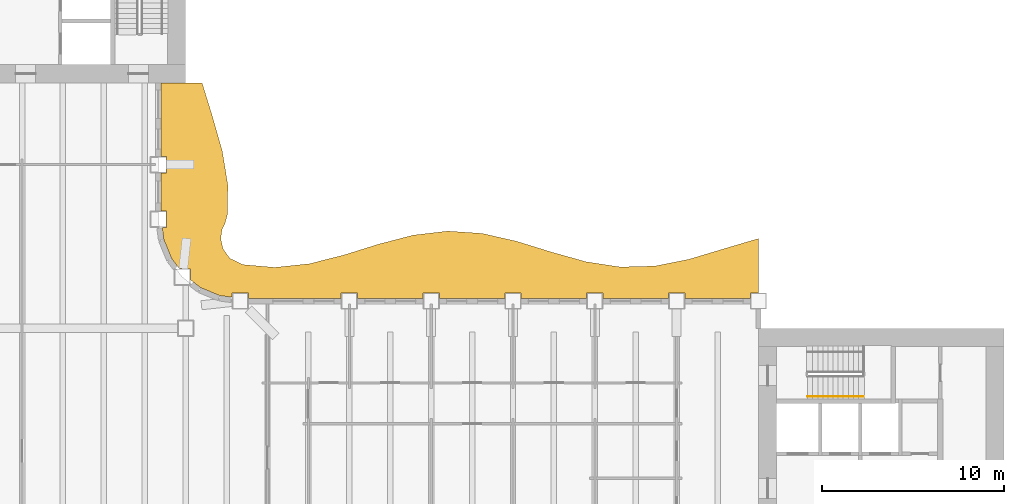
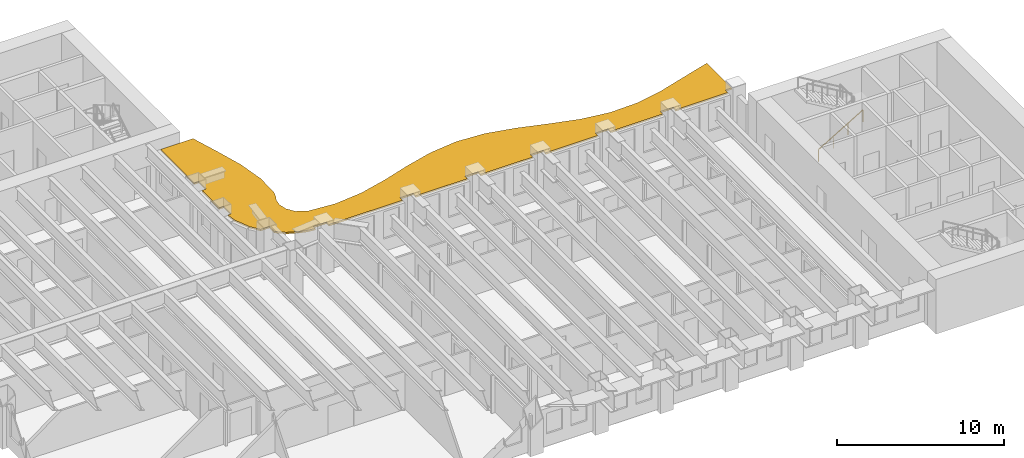
# One storey, part 14 of 16: 1 railing, 1 shading device.
"""IFC4 building model written with IfcOpenShell, lengths in metres."""

from ifc_helpers import new_model, si_unit, direction, frame, origin, origin_2d, place, context, subcontext, project, spatial, polyline, rectangle, outline, extrude, material, layer, layer_set, type_object, element, save


model = new_model("IFC4")

# Units and contexts
model_context = context("Model", 3, precision=1e-05, world=origin(), true_north=direction((0.0, 1.0)))
body_context = subcontext(model_context, "Body", "Model", "MODEL_VIEW")
ifc_project = project(units=[si_unit("LENGTHUNIT", "METRE"), si_unit("AREAUNIT", "SQUARE_METRE"), si_unit("VOLUMEUNIT", "CUBIC_METRE"), si_unit("PLANEANGLEUNIT", "RADIAN"), si_unit("MASSUNIT", "GRAM", prefix="KILO")], contexts=[model_context])

# Site, building, storey
site_placement = place(None, origin())
site = spatial("IfcSite", under=ifc_project, at=site_placement, CompositionType="ELEMENT")
building_placement = place(site_placement, origin())
building = spatial("IfcBuilding", under=site, at=building_placement, Name="Sennacour Bend Tower", CompositionType="ELEMENT")
storey_placement = place(building_placement, frame((0.0, 0.0, 183.0)))
storey = spatial("IfcBuildingStorey", under=building, at=storey_placement, Name="L42", CompositionType="ELEMENT", Elevation=183.0)

# Railing
ifc_material_1 = material(Name="Stainless steel", Category="steel")
railing_type = type_object("IfcRailingType", Name="RL-HANDRAIL-900", PredefinedType="HANDRAIL", material=ifc_material_1)
railing_placement = place(storey_placement, frame((56.699951171875, 18.75, 0.166748046875)))
element("IfcRailing", 1, at=railing_placement, inside=storey, type_object=railing_type, Name="L42 SA2 stair handrail 1", PredefinedType="HANDRAIL", context=body_context, shape_type="SweptSolid", body=[
    extrude(rectangle(XDim=0.048095703125, YDim=0.048095703125, at=origin_2d()), frame((0.0, 0.0, 0.8759765625), z_axis=(0.859308565015, 0.0, 0.511457515432), x_axis=(0.0, 1.0, 0.0)), (0.0, 0.0, 1.0), 3.58447265625),
    extrude(rectangle(XDim=0.0419921875, YDim=0.0419921875, at=origin_2d()), origin(), (0.0, 0.0, 1.0), 0.851806640625),
    extrude(rectangle(XDim=0.0419921875, YDim=0.0419921875, at=origin_2d()), frame((1.026611328125, 0.0, 0.611083984375)), (0.0, 0.0, 1.0), 0.851806640625),
    extrude(rectangle(XDim=0.0419921875, YDim=0.0419921875, at=origin_2d()), frame((2.053466796875, 0.0, 1.22216796875)), (0.0, 0.0, 1.0), 0.851806640625),
    extrude(rectangle(XDim=0.0419921875, YDim=0.0419921875, at=origin_2d()), frame((3.080078125, 0.0, 1.833251953125)), (0.0, 0.0, 1.0), 0.851806640625),
])

# Shading device
ifc_material_2 = material(Name="Bronze anodised aluminium", Category="aluminium")
ifc_layer = layer(ifc_material_2, 0.1201171875, Name="Bronze anodised aluminium", Category="aluminium")
ifc_layer_set = layer_set([ifc_layer], Name="Bronze anodised aluminium")
shading_device_type = type_object("IfcShadingDeviceType", Name="SUNSHADE BAND WAVE", PredefinedType="USERDEFINED", material=ifc_layer_set)
shading_device_placement = place(storey_placement, frame((0.0, 0.0, 2.928955078125)))
element("IfcShadingDevice", 2, at=shading_device_placement, inside=storey, type_object=shading_device_type, Name="Sunshade band L42 concave faces", ObjectType="SUNSHADE", PredefinedType="USERDEFINED", context=body_context, shape_type="SweptSolid", body=[
    extrude(outline(polyline([(53.550048828125, 24.14990234375), (49.949951171875, 24.14990234375), (49.949951171875, 24.449951171875), (49.050048828125, 24.449951171875), (49.050048828125, 24.14990234375), (45.449951171875, 24.14990234375), (45.449951171875, 24.449951171875), (44.550048828125, 24.449951171875), (44.550048828125, 24.14990234375), (40.949951171875, 24.14990234375), (40.949951171875, 24.449951171875), (40.050048828125, 24.449951171875), (40.050048828125, 24.14990234375), (36.449951171875, 24.14990234375), (36.449951171875, 24.449951171875), (35.550048828125, 24.449951171875), (35.550048828125, 24.14990234375), (31.949951171875, 24.14990234375), (31.949951171875, 24.449951171875), (31.050048828125, 24.449951171875), (31.050048828125, 24.14990234375), (25.949951171875, 24.14990234375), (25.949951171875, 24.449951171875), (25.050048828125, 24.449951171875), (25.050048828125, 24.21044921875), (24.37451171875, 24.299560546875), (23.32568359375, 24.73388671875), (22.76806640625, 25.16162109375), (22.76806640625, 25.76806640625), (22.16162109375, 25.76806640625), (21.73388671875, 26.32568359375), (21.299560546875, 27.37451171875), (21.21044921875, 28.050048828125), (21.449951171875, 28.050048828125), (21.449951171875, 28.949951171875), (21.14990234375, 28.949951171875), (21.14990234375, 31.050048828125), (21.449951171875, 31.050048828125), (21.449951171875, 31.949951171875), (21.14990234375, 31.949951171875), (21.14990234375, 36.0), (23.400634765625, 36.0), (23.978759765625, 34.125), (24.512451171875, 32.25), (24.818603515625, 30.375), (24.791748046875, 28.74853515625), (24.6650390625, 28.2763671875), (24.497314453125, 27.921142578125), (24.428466796875, 27.428466796875), (24.555908203125, 26.86474609375), (24.92431640625, 26.35107421875), (25.63134765625, 26.003662109375), (27.39990234375, 25.850830078125), (29.300048828125, 26.05029296875), (31.199951171875, 26.531982421875), (33.10009765625, 27.12548828125), (35.0, 27.6220703125), (36.89990234375, 27.84619140625), (38.800048828125, 27.71923828125), (40.699951171875, 27.285400390625), (42.60009765625, 26.6982421875), (44.5, 26.16455078125), (46.39990234375, 25.87255859375), (48.300048828125, 25.92529296875), (50.199951171875, 26.303955078125), (52.10009765625, 26.87548828125), (54.0, 27.437744140625), (54.0, 24.449951171875), (53.550048828125, 24.449951171875), (53.550048828125, 24.14990234375)])), origin(), (0.0, 0.0, 1.0), 0.1201171875),
])

save(model, "model.ifc")
